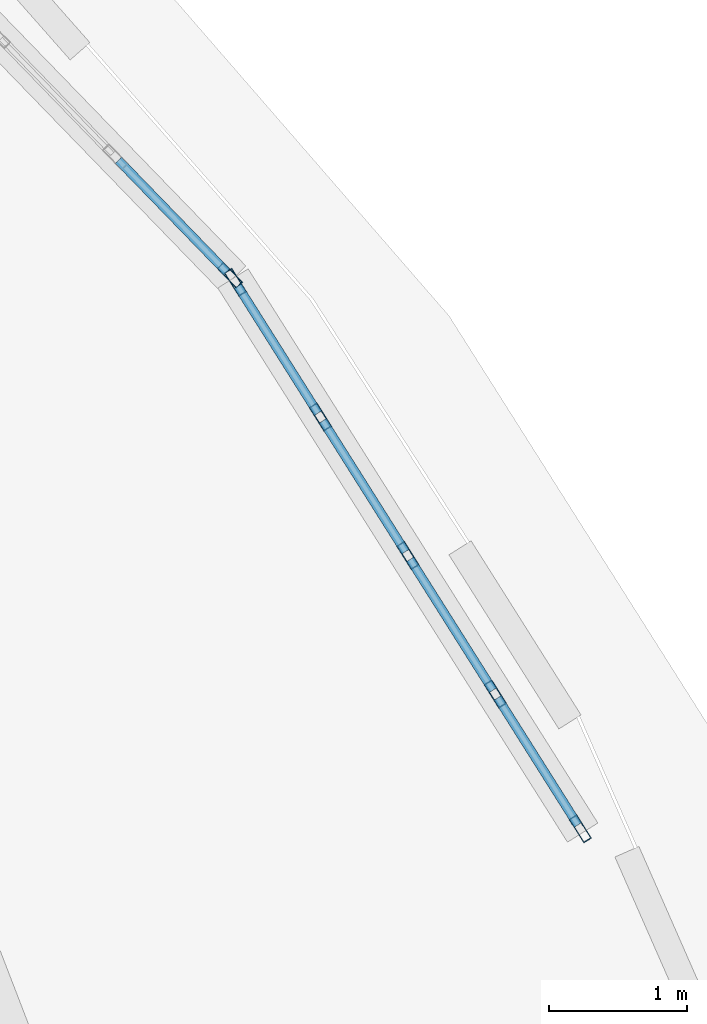
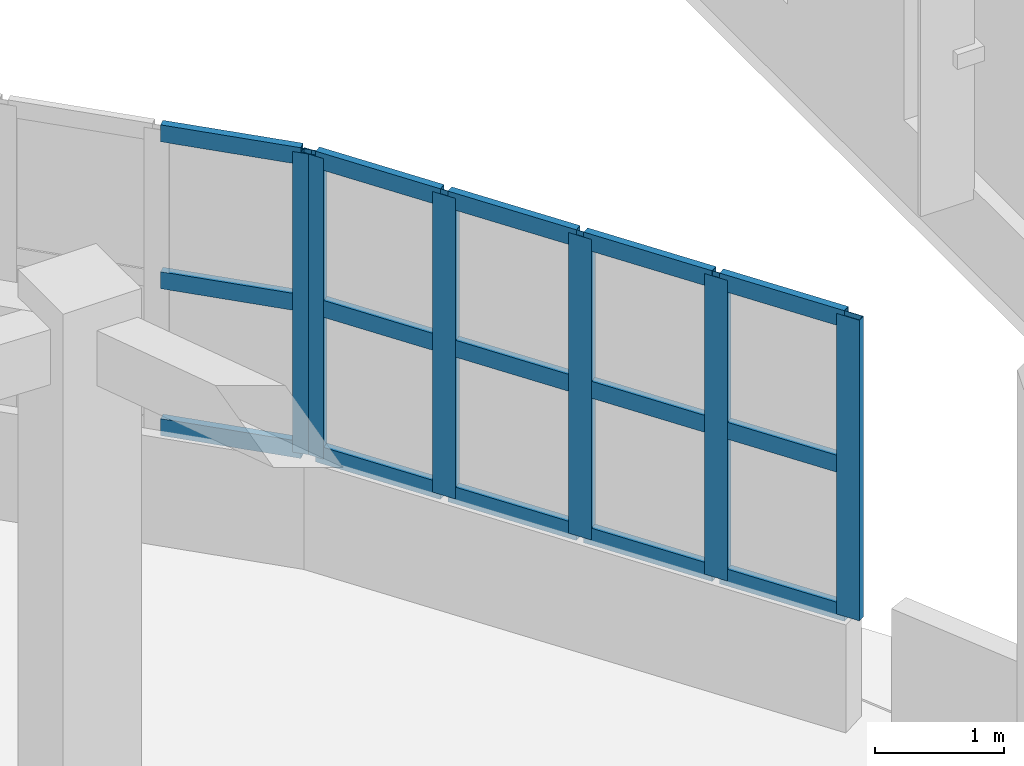
# One storey, part 52 of 98: 21 members, 2 elements without a shape of their own.
"""IFC4 building model written with IfcOpenShell, lengths in metres."""

from ifc_helpers import new_model, si_unit, direction, frame, origin, origin_2d, place, context, subcontext, project, spatial, hollow_rectangle, extrude, material, layer, layer_set, material_profile, profile_set, type_object, element, aggregate, save


model = new_model("IFC4")

# Units and contexts
model_context = context("Model", 3, precision=1e-05, world=origin(), true_north=direction((0.0, 1.0)))
body_context = subcontext(model_context, "Body", "Model", "MODEL_VIEW")
ifc_project = project(units=[si_unit("LENGTHUNIT", "METRE"), si_unit("AREAUNIT", "SQUARE_METRE"), si_unit("VOLUMEUNIT", "CUBIC_METRE"), si_unit("PLANEANGLEUNIT", "RADIAN"), si_unit("MASSUNIT", "GRAM", prefix="KILO")], contexts=[model_context])

# Site, building, storey
site_placement = place(None, origin())
site = spatial("IfcSite", under=ifc_project, at=site_placement, CompositionType="ELEMENT")
building_placement = place(site_placement, origin())
building = spatial("IfcBuilding", under=site, at=building_placement, Name="Pelvatis Terrace Science Centre", CompositionType="ELEMENT")
storey_placement = place(building_placement, frame((0.0, 0.0, 5.39990234375)))
storey = spatial("IfcBuildingStorey", under=building, at=storey_placement, Name="L01", CompositionType="ELEMENT", Elevation=5.39990234375)

# Curtain wall, members
ifc_material_1 = material(Name="Bronze-anodised aluminium and laminated glass", Category="aluminium")
ifc_layer = layer(ifc_material_1, 0.199951171875)
ifc_layer_set = layer_set([ifc_layer], Name="Bronze-anodised aluminium and laminated glass")
curtain_wall_type = type_object("IfcCurtainWallType", Name="CW-RIBBON-B", PredefinedType="NOTDEFINED", material=ifc_layer_set)
curtain_wall_1_placement = place(storey_placement, origin())
curtain_wall_1 = element("IfcCurtainWall", 1, at=curtain_wall_1_placement, inside=storey, type_object=curtain_wall_type, Name="Ribbon curtain wall CW-127 (L01)", PredefinedType="NOTDEFINED")
ifc_material_2 = material(Name="Bronze-anodised aluminium 6063-T6", Category="aluminium")
ifc_material_profile_1 = material_profile(ifc_material_2, hollow_rectangle(XDim=0.06494140625, YDim=0.199951171875, WallThickness=0.00439453125, at=origin_2d()), Name="ALU-MUL 65x200")
ifc_profile_set_1 = profile_set([ifc_material_profile_1], Name="Bronze-anodised aluminium 6063-T6")
member_type_1 = type_object("IfcMemberType", Name="CWM-65x200", PredefinedType="MULLION", material=ifc_profile_set_1)
member_1_placement = place(storey_placement, frame((136.443115234375, 91.724853515625, 1.02001953125), z_axis=(0.0, 0.0, 1.0), x_axis=(-0.845678324599, -0.533692956019, 0.0)))
member_1 = element("IfcMember", 2, at=member_1_placement, type_object=member_type_1, Name="CW-127 mullion 1", PredefinedType="MULLION", context=body_context, shape_type="SweptSolid", body=[
    extrude(hollow_rectangle(XDim=0.06494140625, YDim=0.199951171875, WallThickness=0.00439453125, at=origin_2d()), origin(), (0.0, 0.0, 1.0), 2.840087890625),
])
member_2_placement = place(storey_placement, frame((135.826416015625, 92.702392578125, 1.02001953125), z_axis=(0.0, 0.0, 1.0), x_axis=(-0.845678324599, -0.533692956019, 0.0)))
member_2 = element("IfcMember", 3, at=member_2_placement, type_object=member_type_1, Name="CW-127 mullion 2", PredefinedType="MULLION", context=body_context, shape_type="SweptSolid", body=[
    extrude(hollow_rectangle(XDim=0.06494140625, YDim=0.199951171875, WallThickness=0.00439453125, at=origin_2d()), origin(), (0.0, 0.0, 1.0), 2.840087890625),
])
member_3_placement = place(storey_placement, frame((135.192138671875, 93.707275390625, 1.02001953125), z_axis=(0.0, 0.0, 1.0), x_axis=(-0.845678324599, -0.533692956019, 0.0)))
member_3 = element("IfcMember", 4, at=member_3_placement, type_object=member_type_1, Name="CW-127 mullion 3", PredefinedType="MULLION", context=body_context, shape_type="SweptSolid", body=[
    extrude(hollow_rectangle(XDim=0.06494140625, YDim=0.199951171875, WallThickness=0.00439453125, at=origin_2d()), origin(), (0.0, 0.0, 1.0), 2.840087890625),
])
member_4_placement = place(storey_placement, frame((134.557861328125, 94.712158203125, 1.02001953125), z_axis=(0.0, 0.0, 1.0), x_axis=(-0.845678324599, -0.533692956019, 0.0)))
member_4 = element("IfcMember", 5, at=member_4_placement, type_object=member_type_1, Name="CW-127 mullion 4", PredefinedType="MULLION", context=body_context, shape_type="SweptSolid", body=[
    extrude(hollow_rectangle(XDim=0.06494140625, YDim=0.199951171875, WallThickness=0.00439453125, at=origin_2d()), origin(), (0.0, 0.0, 1.0), 2.840087890625),
])
member_5_placement = place(storey_placement, frame((133.941162109375, 95.689453125, 1.02001953125), z_axis=(0.0, 0.0, 1.0), x_axis=(-0.845678324599, -0.533692956019, 0.0)))
member_5 = element("IfcMember", 6, at=member_5_placement, type_object=member_type_1, Name="CW-127 mullion 5", PredefinedType="MULLION", context=body_context, shape_type="SweptSolid", body=[
    extrude(hollow_rectangle(XDim=0.06494140625, YDim=0.199951171875, WallThickness=0.00439453125, at=origin_2d()), origin(), (0.0, 0.0, 1.0), 2.840087890625),
])

# Curtain wall, member
curtain_wall_2_placement = place(storey_placement, origin())
curtain_wall_2 = element("IfcCurtainWall", 7, at=curtain_wall_2_placement, inside=storey, type_object=curtain_wall_type, Name="Ribbon curtain wall CW-128 (L01)", PredefinedType="NOTDEFINED")
member_6_placement = place(storey_placement, frame((133.901123046875, 95.740234375, 1.02001953125), z_axis=(0.0, 0.0, 1.0), x_axis=(-0.718179097979, -0.69585830686, 0.0)))
member_6 = element("IfcMember", 8, at=member_6_placement, type_object=member_type_1, Name="CW-128 mullion 1", PredefinedType="MULLION", context=body_context, shape_type="SweptSolid", body=[
    extrude(hollow_rectangle(XDim=0.06494140625, YDim=0.199951171875, WallThickness=0.00439453125, at=origin_2d()), origin(), (0.0, 0.0, 1.0), 2.840087890625),
])

# Member
ifc_material_3 = material(Name="Bronze-anodised aluminium 6063-T6", Category="aluminium")
ifc_material_profile_2 = material_profile(ifc_material_3, hollow_rectangle(XDim=0.06494140625, YDim=0.159912109375, WallThickness=0.00390625, at=origin_2d()), Name="ALU-TRN 65x160")
ifc_profile_set_2 = profile_set([ifc_material_profile_2], Name="Bronze-anodised aluminium 6063-T6")
member_type_2 = type_object("IfcMemberType", Name="CWT-65x160", PredefinedType="USERDEFINED", material=ifc_profile_set_2)
member_7_placement = place(storey_placement, frame((136.42578125, 91.75244140625, 1.052490234375), z_axis=(-0.533656067304, 0.845701603303, 0.0), x_axis=(-0.845701603303, -0.533656067304, 0.0)))
member_7 = element("IfcMember", 9, at=member_7_placement, type_object=member_type_2, Name="CW-127 transom 1.1", ObjectType="TRANSOM", PredefinedType="USERDEFINED", context=body_context, shape_type="SweptSolid", body=[
    extrude(hollow_rectangle(XDim=0.06494140625, YDim=0.159912109375, WallThickness=0.00390625, at=origin_2d()), origin(), (0.0, 0.0, 1.0), 1.090576171875),
])

member_8_placement = place(storey_placement, frame((136.42578125, 91.75244140625, 2.440185546875), z_axis=(-0.533656067304, 0.845701603303, 0.0), x_axis=(-0.845701603303, -0.533656067304, 0.0)))
member_8 = element("IfcMember", 10, at=member_8_placement, type_object=member_type_2, Name="CW-127 transom 1.2", ObjectType="TRANSOM", PredefinedType="USERDEFINED", context=body_context, shape_type="SweptSolid", body=[
    extrude(hollow_rectangle(XDim=0.06494140625, YDim=0.159912109375, WallThickness=0.00390625, at=origin_2d()), origin(), (0.0, 0.0, 1.0), 1.090576171875),
])

member_9_placement = place(storey_placement, frame((136.42578125, 91.75244140625, 3.82763671875), z_axis=(-0.533656067304, 0.845701603303, 0.0), x_axis=(-0.845701603303, -0.533656067304, 0.0)))
member_9 = element("IfcMember", 11, at=member_9_placement, type_object=member_type_2, Name="CW-127 transom 1.3", ObjectType="TRANSOM", PredefinedType="USERDEFINED", context=body_context, shape_type="SweptSolid", body=[
    extrude(hollow_rectangle(XDim=0.06494140625, YDim=0.159912109375, WallThickness=0.00390625, at=origin_2d()), origin(), (0.0, 0.0, 1.0), 1.090576171875),
])

member_10_placement = place(storey_placement, frame((135.80908203125, 92.729736328125, 1.052490234375), z_axis=(-0.533764021525, 0.845633472212, 0.0), x_axis=(-0.845633472212, -0.533764021525, 0.0)))
member_10 = element("IfcMember", 12, at=member_10_placement, type_object=member_type_2, Name="CW-127 transom 2.1", ObjectType="TRANSOM", PredefinedType="USERDEFINED", context=body_context, shape_type="SweptSolid", body=[
    extrude(hollow_rectangle(XDim=0.06494140625, YDim=0.159912109375, WallThickness=0.00390625, at=origin_2d()), origin(), (0.0, 0.0, 1.0), 1.123291015625),
])

member_11_placement = place(storey_placement, frame((135.80908203125, 92.729736328125, 2.440185546875), z_axis=(-0.533764021525, 0.845633472212, 0.0), x_axis=(-0.845633472212, -0.533764021525, 0.0)))
member_11 = element("IfcMember", 13, at=member_11_placement, type_object=member_type_2, Name="CW-127 transom 2.2", ObjectType="TRANSOM", PredefinedType="USERDEFINED", context=body_context, shape_type="SweptSolid", body=[
    extrude(hollow_rectangle(XDim=0.06494140625, YDim=0.159912109375, WallThickness=0.00390625, at=origin_2d()), origin(), (0.0, 0.0, 1.0), 1.123291015625),
])

member_12_placement = place(storey_placement, frame((135.80908203125, 92.729736328125, 3.82763671875), z_axis=(-0.533764021525, 0.845633472212, 0.0), x_axis=(-0.845633472212, -0.533764021525, 0.0)))
member_12 = element("IfcMember", 14, at=member_12_placement, type_object=member_type_2, Name="CW-127 transom 2.3", ObjectType="TRANSOM", PredefinedType="USERDEFINED", context=body_context, shape_type="SweptSolid", body=[
    extrude(hollow_rectangle(XDim=0.06494140625, YDim=0.159912109375, WallThickness=0.00390625, at=origin_2d()), origin(), (0.0, 0.0, 1.0), 1.123291015625),
])

member_13_placement = place(storey_placement, frame((135.1748046875, 93.734619140625, 1.052490234375), z_axis=(-0.533608582225, 0.845731565555, 0.0), x_axis=(-0.845731565555, -0.533608582225, 0.0)))
member_13 = element("IfcMember", 15, at=member_13_placement, type_object=member_type_2, Name="CW-127 transom 3.1", ObjectType="TRANSOM", PredefinedType="USERDEFINED", context=body_context, shape_type="SweptSolid", body=[
    extrude(hollow_rectangle(XDim=0.06494140625, YDim=0.159912109375, WallThickness=0.00390625, at=origin_2d()), origin(), (0.0, 0.0, 1.0), 1.123291015625),
])

member_14_placement = place(storey_placement, frame((135.1748046875, 93.734619140625, 2.440185546875), z_axis=(-0.533608582225, 0.845731565555, 0.0), x_axis=(-0.845731565555, -0.533608582225, 0.0)))
member_14 = element("IfcMember", 16, at=member_14_placement, type_object=member_type_2, Name="CW-127 transom 3.2", ObjectType="TRANSOM", PredefinedType="USERDEFINED", context=body_context, shape_type="SweptSolid", body=[
    extrude(hollow_rectangle(XDim=0.06494140625, YDim=0.159912109375, WallThickness=0.00390625, at=origin_2d()), origin(), (0.0, 0.0, 1.0), 1.123291015625),
])

member_15_placement = place(storey_placement, frame((135.1748046875, 93.734619140625, 3.82763671875), z_axis=(-0.533608582225, 0.845731565555, 0.0), x_axis=(-0.845731565555, -0.533608582225, 0.0)))
member_15 = element("IfcMember", 17, at=member_15_placement, type_object=member_type_2, Name="CW-127 transom 3.3", ObjectType="TRANSOM", PredefinedType="USERDEFINED", context=body_context, shape_type="SweptSolid", body=[
    extrude(hollow_rectangle(XDim=0.06494140625, YDim=0.159912109375, WallThickness=0.00390625, at=origin_2d()), origin(), (0.0, 0.0, 1.0), 1.123291015625),
])

member_16_placement = place(storey_placement, frame((134.54052734375, 94.739501953125, 1.052490234375), z_axis=(-0.533555056469, 0.845765334898, 0.0), x_axis=(-0.845765334898, -0.533555056469, 0.0)))
member_16 = element("IfcMember", 18, at=member_16_placement, type_object=member_type_2, Name="CW-127 transom 4.1", ObjectType="TRANSOM", PredefinedType="USERDEFINED", context=body_context, shape_type="SweptSolid", body=[
    extrude(hollow_rectangle(XDim=0.06494140625, YDim=0.159912109375, WallThickness=0.00390625, at=origin_2d()), origin(), (0.0, 0.0, 1.0), 1.0908203125),
])

member_17_placement = place(storey_placement, frame((134.54052734375, 94.739501953125, 2.440185546875), z_axis=(-0.533555056469, 0.845765334898, 0.0), x_axis=(-0.845765334898, -0.533555056469, 0.0)))
member_17 = element("IfcMember", 19, at=member_17_placement, type_object=member_type_2, Name="CW-127 transom 4.2", ObjectType="TRANSOM", PredefinedType="USERDEFINED", context=body_context, shape_type="SweptSolid", body=[
    extrude(hollow_rectangle(XDim=0.06494140625, YDim=0.159912109375, WallThickness=0.00390625, at=origin_2d()), origin(), (0.0, 0.0, 1.0), 1.0908203125),
])

member_18_placement = place(storey_placement, frame((134.54052734375, 94.739501953125, 3.82763671875), z_axis=(-0.533555056469, 0.845765334898, 0.0), x_axis=(-0.845765334898, -0.533555056469, 0.0)))
member_18 = element("IfcMember", 20, at=member_18_placement, type_object=member_type_2, Name="CW-127 transom 4.3", ObjectType="TRANSOM", PredefinedType="USERDEFINED", context=body_context, shape_type="SweptSolid", body=[
    extrude(hollow_rectangle(XDim=0.06494140625, YDim=0.159912109375, WallThickness=0.00390625, at=origin_2d()), origin(), (0.0, 0.0, 1.0), 1.0908203125),
])

aggregate(curtain_wall_1, [member_1, member_2, member_3, member_4, member_5, member_7, member_8, member_9, member_10, member_11, member_12, member_13, member_14, member_15, member_16, member_17, member_18])

member_19_placement = place(storey_placement, frame((133.878662109375, 95.763671875, 1.052490234375), z_axis=(-0.695882363087, 0.718155788631, 0.0), x_axis=(-0.718155788631, -0.695882363087, 0.0)))
member_19 = element("IfcMember", 21, at=member_19_placement, type_object=member_type_2, Name="CW-128 transom 1.1", ObjectType="TRANSOM", PredefinedType="USERDEFINED", context=body_context, shape_type="SweptSolid", body=[
    extrude(hollow_rectangle(XDim=0.06494140625, YDim=0.159912109375, WallThickness=0.00390625, at=origin_2d()), origin(), (0.0, 0.0, 1.0), 1.12890625),
])

member_20_placement = place(storey_placement, frame((133.878662109375, 95.763671875, 2.440185546875), z_axis=(-0.695882363087, 0.718155788631, 0.0), x_axis=(-0.718155788631, -0.695882363087, 0.0)))
member_20 = element("IfcMember", 22, at=member_20_placement, type_object=member_type_2, Name="CW-128 transom 1.2", ObjectType="TRANSOM", PredefinedType="USERDEFINED", context=body_context, shape_type="SweptSolid", body=[
    extrude(hollow_rectangle(XDim=0.06494140625, YDim=0.159912109375, WallThickness=0.00390625, at=origin_2d()), origin(), (0.0, 0.0, 1.0), 1.12890625),
])

member_21_placement = place(storey_placement, frame((133.878662109375, 95.763671875, 3.82763671875), z_axis=(-0.695882363087, 0.718155788631, 0.0), x_axis=(-0.718155788631, -0.695882363087, 0.0)))
member_21 = element("IfcMember", 23, at=member_21_placement, type_object=member_type_2, Name="CW-128 transom 1.3", ObjectType="TRANSOM", PredefinedType="USERDEFINED", context=body_context, shape_type="SweptSolid", body=[
    extrude(hollow_rectangle(XDim=0.06494140625, YDim=0.159912109375, WallThickness=0.00390625, at=origin_2d()), origin(), (0.0, 0.0, 1.0), 1.12890625),
])

aggregate(curtain_wall_2, [member_6, member_19, member_20, member_21])

save(model, "model.ifc")
